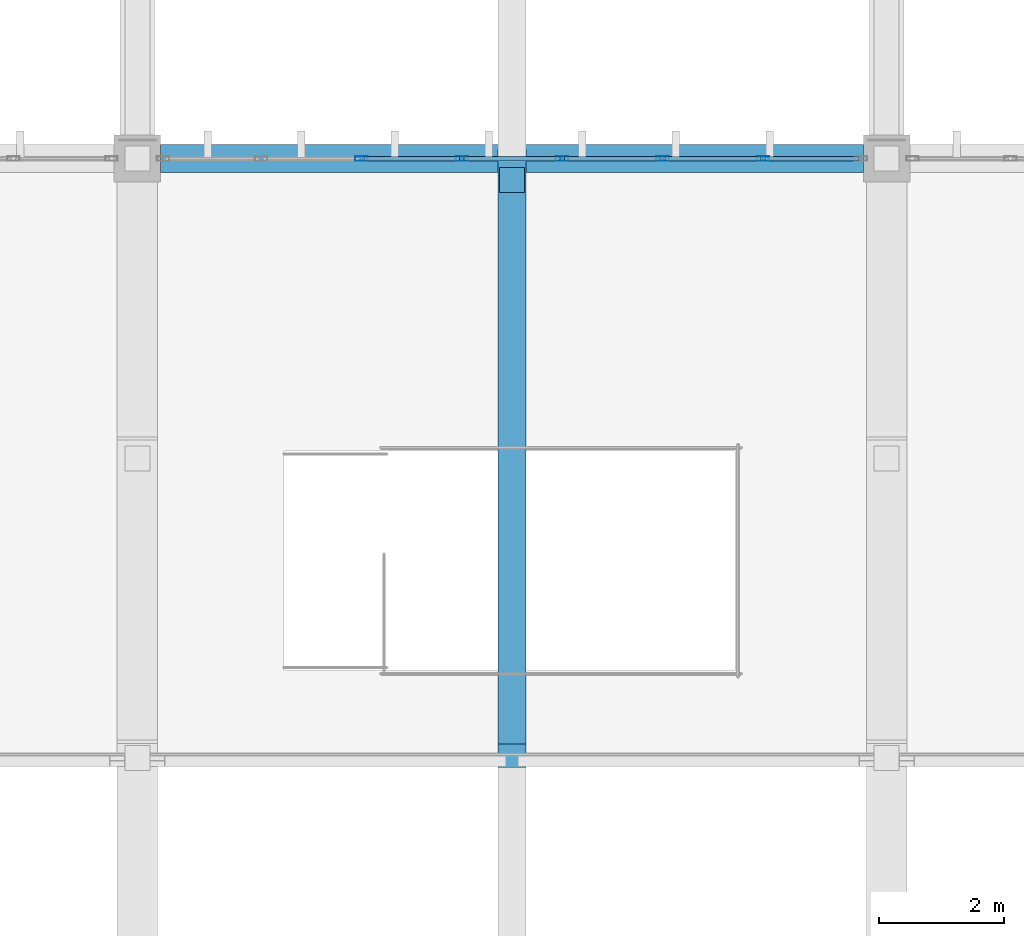
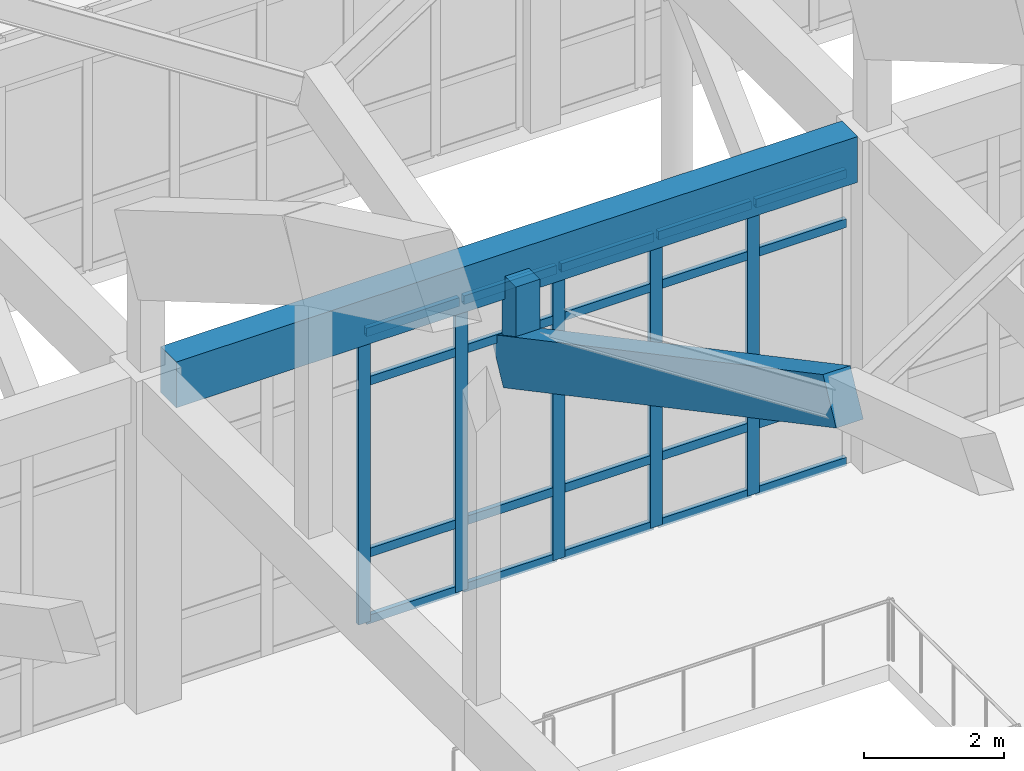
# One storey, part 82 of 236: 26 members, 2 beams, 1 element without a shape of its own.
"""IFC4 building model written with IfcOpenShell, lengths in metres."""

from ifc_helpers import new_model, si_unit, direction, frame, origin, origin_2d, place, context, subcontext, project, spatial, rectangle, hollow_rectangle, extrude, material, layer, layer_set, material_profile, profile_set, type_object, element, aggregate, save


model = new_model("IFC4")

# Units and contexts
model_context = context("Model", 3, precision=1e-05, world=origin(), true_north=direction((0.0, 1.0)))
body_context = subcontext(model_context, "Body", "Model", "MODEL_VIEW")
ifc_project = project(units=[si_unit("LENGTHUNIT", "METRE"), si_unit("AREAUNIT", "SQUARE_METRE"), si_unit("VOLUMEUNIT", "CUBIC_METRE"), si_unit("PLANEANGLEUNIT", "RADIAN"), si_unit("MASSUNIT", "GRAM", prefix="KILO")], contexts=[model_context])

# Site, building, storey
site_placement = place(None, origin())
site = spatial("IfcSite", under=ifc_project, at=site_placement, CompositionType="ELEMENT")
building_placement = place(site_placement, origin())
building = spatial("IfcBuilding", under=site, at=building_placement, Name="Pandanus Reach Market Hall", CompositionType="ELEMENT")
storey_placement = place(building_placement, frame((0.0, 0.0, 5.39990234375)))
storey = spatial("IfcBuildingStorey", under=building, at=storey_placement, Name="L01", CompositionType="ELEMENT", Elevation=5.39990234375)

# Member
ifc_material_1 = material(Name="Concrete N50 (50 MPa)", Category="concrete")
ifc_material_profile_1 = material_profile(ifc_material_1, rectangle(XDim=0.39990234375, YDim=0.39990234375, at=origin_2d()), Name="RC400x400", Category="LoadBearing")
ifc_profile_set_1 = profile_set([ifc_material_profile_1], Name="Concrete N50 (50 MPa)")
member_type_1 = type_object("IfcMemberType", Name="AR-WEB400-E", PredefinedType="STRUT", material=ifc_profile_set_1)
member_1_placement = place(storey_placement, frame((90.0, 86.06005859375, 3.739990234375), z_axis=(0.0, 0.0, 1.0), x_axis=(1.0, 0.0, 0.0)))
element("IfcMember", 1, at=member_1_placement, inside=storey, type_object=member_type_1, Name="Butterfly north eave valley hanger B4N", PredefinedType="STRUT", context=body_context, shape_type="SweptSolid", body=[
    extrude(rectangle(XDim=0.39990234375, YDim=0.39990234375, at=origin_2d()), origin(), (0.0, 0.0, 1.0), 1.66015625),
])

# Beams
ifc_material_2 = material(Name="Concrete N40 (40 MPa)", Category="concrete")
ifc_material_profile_2 = material_profile(ifc_material_2, rectangle(XDim=0.449951171875, YDim=0.800048828125, at=origin_2d()), Name="RC450x800", Category="LoadBearing")
ifc_profile_set_2 = profile_set([ifc_material_profile_2], Name="Concrete N40 (40 MPa)")
beam_type_1 = type_object("IfcBeamType", Name="BM-RC450-E", PredefinedType="SPANDREL", material=ifc_profile_set_2)
beam_1_placement = place(storey_placement, frame((84.373046875, 86.39990234375, 5.400146484375), z_axis=(1.0, 0.0, 0.0), x_axis=(0.0, 1.0, 0.0)))
element("IfcBeam", 2, at=beam_1_placement, inside=storey, type_object=beam_type_1, Name="Framing beam BM-RC450-E L01.1148", PredefinedType="SPANDREL", context=body_context, shape_type="SweptSolid", body=[
    extrude(rectangle(XDim=0.449951171875, YDim=0.800048828125, at=origin_2d()), origin(), (0.0, 0.0, 1.0), 11.25390625),
])
ifc_material_profile_3 = material_profile(ifc_material_2, rectangle(XDim=0.449951171875, YDim=0.800048828125, at=origin_2d()), Name="RC450x800", Category="LoadBearing")
ifc_profile_set_3 = profile_set([ifc_material_profile_3], Name="Concrete N40 (40 MPa)")
beam_type_2 = type_object("IfcBeamType", Name="BM-RC450-I", PredefinedType="BEAM", material=ifc_profile_set_3)
beam_2_placement = place(storey_placement, frame((90.0, 76.840087890625, 8.88427734375), z_axis=(0.0, 0.882689208935, -0.469957189996), x_axis=(-1.0, 0.0, 0.0)))
element("IfcBeam", 3, at=beam_2_placement, inside=storey, type_object=beam_type_2, Name="Butterfly valley beam B4.7", PredefinedType="BEAM", context=body_context, shape_type="SweptSolid", body=[
    extrude(rectangle(XDim=0.449951171875, YDim=0.800048828125, at=origin_2d()), origin(), (0.0, 0.0, 1.0), 10.78515625),
])

# Curtain wall, members
ifc_material_3 = material(Name="Bronze anodised aluminium and low-E glass", Category="aluminium")
ifc_layer = layer(ifc_material_3, 0.199951171875, Name="CW-02")
ifc_layer_set = layer_set([ifc_layer], Name="Bronze anodised aluminium and low-E glass")
curtain_wall_type = type_object("IfcCurtainWallType", Name="CW-02", PredefinedType="NOTDEFINED", material=ifc_layer_set)
curtain_wall_placement = place(storey_placement, origin())
curtain_wall = element("IfcCurtainWall", 4, at=curtain_wall_placement, inside=storey, type_object=curtain_wall_type, Name="Glazed curtain wall CW-02 CW-0013", PredefinedType="NOTDEFINED")
ifc_material_4 = material(Name="Bronze anodised aluminium", Category="aluminium")
ifc_material_profile_4 = material_profile(ifc_material_4, hollow_rectangle(XDim=0.074951171875, YDim=0.199951171875, WallThickness=0.00439453125, at=origin_2d()), Name="ALU75x200", Category="LoadBearing")
ifc_profile_set_4 = profile_set([ifc_material_profile_4], Name="Bronze anodised aluminium")
member_type_2 = type_object("IfcMemberType", Name="CW-M2", PredefinedType="MULLION", material=ifc_profile_set_4)
member_2_placement = place(storey_placement, frame((87.58935546875, 86.39990234375, 0.0), z_axis=(0.0, 0.0, 1.0), x_axis=(0.0, 1.0, 0.0)))
member_2 = element("IfcMember", 5, at=member_2_placement, type_object=member_type_2, Name="CW-02 mullion 3", PredefinedType="MULLION", context=body_context, shape_type="SweptSolid", body=[
    extrude(hollow_rectangle(XDim=0.074951171875, YDim=0.199951171875, WallThickness=0.00439453125, at=origin_2d()), origin(), (0.0, 0.0, 1.0), 5.10009765625),
])
member_3_placement = place(storey_placement, frame((89.196533203125, 86.39990234375, 0.0), z_axis=(0.0, 0.0, 1.0), x_axis=(0.0, 1.0, 0.0)))
member_3 = element("IfcMember", 6, at=member_3_placement, type_object=member_type_2, Name="CW-02 mullion 4", PredefinedType="MULLION", context=body_context, shape_type="SweptSolid", body=[
    extrude(hollow_rectangle(XDim=0.074951171875, YDim=0.199951171875, WallThickness=0.00439453125, at=origin_2d()), origin(), (0.0, 0.0, 1.0), 5.10009765625),
])
member_4_placement = place(storey_placement, frame((90.803466796875, 86.39990234375, 0.0), z_axis=(0.0, 0.0, 1.0), x_axis=(0.0, 1.0, 0.0)))
member_4 = element("IfcMember", 7, at=member_4_placement, type_object=member_type_2, Name="CW-02 mullion 5", PredefinedType="MULLION", context=body_context, shape_type="SweptSolid", body=[
    extrude(hollow_rectangle(XDim=0.074951171875, YDim=0.199951171875, WallThickness=0.00439453125, at=origin_2d()), origin(), (0.0, 0.0, 1.0), 5.10009765625),
])
member_5_placement = place(storey_placement, frame((92.41064453125, 86.39990234375, 0.0), z_axis=(0.0, 0.0, 1.0), x_axis=(0.0, 1.0, 0.0)))
member_5 = element("IfcMember", 8, at=member_5_placement, type_object=member_type_2, Name="CW-02 mullion 6", PredefinedType="MULLION", context=body_context, shape_type="SweptSolid", body=[
    extrude(hollow_rectangle(XDim=0.074951171875, YDim=0.199951171875, WallThickness=0.00439453125, at=origin_2d()), origin(), (0.0, 0.0, 1.0), 5.10009765625),
])
member_6_placement = place(storey_placement, frame((94.017822265625, 86.39990234375, 0.0), z_axis=(0.0, 0.0, 1.0), x_axis=(0.0, 1.0, 0.0)))
member_6 = element("IfcMember", 9, at=member_6_placement, type_object=member_type_2, Name="CW-02 mullion 7", PredefinedType="MULLION", context=body_context, shape_type="SweptSolid", body=[
    extrude(hollow_rectangle(XDim=0.074951171875, YDim=0.199951171875, WallThickness=0.00439453125, at=origin_2d()), origin(), (0.0, 0.0, 1.0), 5.10009765625),
])
ifc_material_profile_5 = material_profile(ifc_material_4, hollow_rectangle(XDim=0.074951171875, YDim=0.14990234375, WallThickness=0.00439453125, at=origin_2d()), Name="ALU75x150", Category="LoadBearing")
ifc_profile_set_5 = profile_set([ifc_material_profile_5], Name="Bronze anodised aluminium")
member_type_3 = type_object("IfcMemberType", Name="CW-T2", PredefinedType="USERDEFINED", material=ifc_profile_set_5)
member_7_placement = place(storey_placement, frame((87.626708984375, 86.39990234375, 0.03759765625), z_axis=(1.0, 0.0, 0.0), x_axis=(0.0, 1.0, 0.0)))
member_7 = element("IfcMember", 10, at=member_7_placement, type_object=member_type_3, Name="CW-02 transom 3.1", ObjectType="TRANSOM", PredefinedType="USERDEFINED", context=body_context, shape_type="SweptSolid", body=[
    extrude(hollow_rectangle(XDim=0.074951171875, YDim=0.14990234375, WallThickness=0.00439453125, at=origin_2d()), origin(), (0.0, 0.0, 1.0), 1.5322265625),
])
member_8_placement = place(storey_placement, frame((87.626708984375, 86.39990234375, 1.2001953125), z_axis=(1.0, 0.0, 0.0), x_axis=(0.0, 1.0, 0.0)))
member_8 = element("IfcMember", 11, at=member_8_placement, type_object=member_type_3, Name="CW-02 transom 3.2", ObjectType="TRANSOM", PredefinedType="USERDEFINED", context=body_context, shape_type="SweptSolid", body=[
    extrude(hollow_rectangle(XDim=0.074951171875, YDim=0.14990234375, WallThickness=0.00439453125, at=origin_2d()), origin(), (0.0, 0.0, 1.0), 1.5322265625),
])
member_9_placement = place(storey_placement, frame((87.626708984375, 86.39990234375, 4.2001953125), z_axis=(1.0, 0.0, 0.0), x_axis=(0.0, 1.0, 0.0)))
member_9 = element("IfcMember", 12, at=member_9_placement, type_object=member_type_3, Name="CW-02 transom 3.3", ObjectType="TRANSOM", PredefinedType="USERDEFINED", context=body_context, shape_type="SweptSolid", body=[
    extrude(hollow_rectangle(XDim=0.074951171875, YDim=0.14990234375, WallThickness=0.00439453125, at=origin_2d()), origin(), (0.0, 0.0, 1.0), 1.5322265625),
])
member_10_placement = place(storey_placement, frame((87.626708984375, 86.39990234375, 5.0625), z_axis=(1.0, 0.0, 0.0), x_axis=(0.0, 1.0, 0.0)))
member_10 = element("IfcMember", 13, at=member_10_placement, type_object=member_type_3, Name="CW-02 transom 3.4", ObjectType="TRANSOM", PredefinedType="USERDEFINED", context=body_context, shape_type="SweptSolid", body=[
    extrude(hollow_rectangle(XDim=0.074951171875, YDim=0.14990234375, WallThickness=0.00439453125, at=origin_2d()), origin(), (0.0, 0.0, 1.0), 1.5322265625),
])
member_11_placement = place(storey_placement, frame((89.23388671875, 86.39990234375, 0.03759765625), z_axis=(1.0, 0.0, 0.0), x_axis=(0.0, 1.0, 0.0)))
member_11 = element("IfcMember", 14, at=member_11_placement, type_object=member_type_3, Name="CW-02 transom 4.1", ObjectType="TRANSOM", PredefinedType="USERDEFINED", context=body_context, shape_type="SweptSolid", body=[
    extrude(hollow_rectangle(XDim=0.074951171875, YDim=0.14990234375, WallThickness=0.00439453125, at=origin_2d()), origin(), (0.0, 0.0, 1.0), 1.5322265625),
])
member_12_placement = place(storey_placement, frame((89.23388671875, 86.39990234375, 1.2001953125), z_axis=(1.0, 0.0, 0.0), x_axis=(0.0, 1.0, 0.0)))
member_12 = element("IfcMember", 15, at=member_12_placement, type_object=member_type_3, Name="CW-02 transom 4.2", ObjectType="TRANSOM", PredefinedType="USERDEFINED", context=body_context, shape_type="SweptSolid", body=[
    extrude(hollow_rectangle(XDim=0.074951171875, YDim=0.14990234375, WallThickness=0.00439453125, at=origin_2d()), origin(), (0.0, 0.0, 1.0), 1.5322265625),
])
member_13_placement = place(storey_placement, frame((89.23388671875, 86.39990234375, 4.2001953125), z_axis=(1.0, 0.0, 0.0), x_axis=(0.0, 1.0, 0.0)))
member_13 = element("IfcMember", 16, at=member_13_placement, type_object=member_type_3, Name="CW-02 transom 4.3", ObjectType="TRANSOM", PredefinedType="USERDEFINED", context=body_context, shape_type="SweptSolid", body=[
    extrude(hollow_rectangle(XDim=0.074951171875, YDim=0.14990234375, WallThickness=0.00439453125, at=origin_2d()), origin(), (0.0, 0.0, 1.0), 1.5322265625),
])
member_14_placement = place(storey_placement, frame((89.23388671875, 86.39990234375, 5.0625), z_axis=(1.0, 0.0, 0.0), x_axis=(0.0, 1.0, 0.0)))
member_14 = element("IfcMember", 17, at=member_14_placement, type_object=member_type_3, Name="CW-02 transom 4.4", ObjectType="TRANSOM", PredefinedType="USERDEFINED", context=body_context, shape_type="SweptSolid", body=[
    extrude(hollow_rectangle(XDim=0.074951171875, YDim=0.14990234375, WallThickness=0.00439453125, at=origin_2d()), origin(), (0.0, 0.0, 1.0), 1.5322265625),
])
member_15_placement = place(storey_placement, frame((90.841064453125, 86.39990234375, 0.03759765625), z_axis=(1.0, 0.0, 0.0), x_axis=(0.0, 1.0, 0.0)))
member_15 = element("IfcMember", 18, at=member_15_placement, type_object=member_type_3, Name="CW-02 transom 5.1", ObjectType="TRANSOM", PredefinedType="USERDEFINED", context=body_context, shape_type="SweptSolid", body=[
    extrude(hollow_rectangle(XDim=0.074951171875, YDim=0.14990234375, WallThickness=0.00439453125, at=origin_2d()), origin(), (0.0, 0.0, 1.0), 1.5322265625),
])
member_16_placement = place(storey_placement, frame((90.841064453125, 86.39990234375, 1.2001953125), z_axis=(1.0, 0.0, 0.0), x_axis=(0.0, 1.0, 0.0)))
member_16 = element("IfcMember", 19, at=member_16_placement, type_object=member_type_3, Name="CW-02 transom 5.2", ObjectType="TRANSOM", PredefinedType="USERDEFINED", context=body_context, shape_type="SweptSolid", body=[
    extrude(hollow_rectangle(XDim=0.074951171875, YDim=0.14990234375, WallThickness=0.00439453125, at=origin_2d()), origin(), (0.0, 0.0, 1.0), 1.5322265625),
])
member_17_placement = place(storey_placement, frame((90.841064453125, 86.39990234375, 4.2001953125), z_axis=(1.0, 0.0, 0.0), x_axis=(0.0, 1.0, 0.0)))
member_17 = element("IfcMember", 20, at=member_17_placement, type_object=member_type_3, Name="CW-02 transom 5.3", ObjectType="TRANSOM", PredefinedType="USERDEFINED", context=body_context, shape_type="SweptSolid", body=[
    extrude(hollow_rectangle(XDim=0.074951171875, YDim=0.14990234375, WallThickness=0.00439453125, at=origin_2d()), origin(), (0.0, 0.0, 1.0), 1.5322265625),
])
member_18_placement = place(storey_placement, frame((90.841064453125, 86.39990234375, 5.0625), z_axis=(1.0, 0.0, 0.0), x_axis=(0.0, 1.0, 0.0)))
member_18 = element("IfcMember", 21, at=member_18_placement, type_object=member_type_3, Name="CW-02 transom 5.4", ObjectType="TRANSOM", PredefinedType="USERDEFINED", context=body_context, shape_type="SweptSolid", body=[
    extrude(hollow_rectangle(XDim=0.074951171875, YDim=0.14990234375, WallThickness=0.00439453125, at=origin_2d()), origin(), (0.0, 0.0, 1.0), 1.5322265625),
])
member_19_placement = place(storey_placement, frame((92.4482421875, 86.39990234375, 0.03759765625), z_axis=(1.0, 0.0, 0.0), x_axis=(0.0, 1.0, 0.0)))
member_19 = element("IfcMember", 22, at=member_19_placement, type_object=member_type_3, Name="CW-02 transom 6.1", ObjectType="TRANSOM", PredefinedType="USERDEFINED", context=body_context, shape_type="SweptSolid", body=[
    extrude(hollow_rectangle(XDim=0.074951171875, YDim=0.14990234375, WallThickness=0.00439453125, at=origin_2d()), origin(), (0.0, 0.0, 1.0), 1.5322265625),
])
member_20_placement = place(storey_placement, frame((92.4482421875, 86.39990234375, 1.2001953125), z_axis=(1.0, 0.0, 0.0), x_axis=(0.0, 1.0, 0.0)))
member_20 = element("IfcMember", 23, at=member_20_placement, type_object=member_type_3, Name="CW-02 transom 6.2", ObjectType="TRANSOM", PredefinedType="USERDEFINED", context=body_context, shape_type="SweptSolid", body=[
    extrude(hollow_rectangle(XDim=0.074951171875, YDim=0.14990234375, WallThickness=0.00439453125, at=origin_2d()), origin(), (0.0, 0.0, 1.0), 1.5322265625),
])
member_21_placement = place(storey_placement, frame((92.4482421875, 86.39990234375, 4.2001953125), z_axis=(1.0, 0.0, 0.0), x_axis=(0.0, 1.0, 0.0)))
member_21 = element("IfcMember", 24, at=member_21_placement, type_object=member_type_3, Name="CW-02 transom 6.3", ObjectType="TRANSOM", PredefinedType="USERDEFINED", context=body_context, shape_type="SweptSolid", body=[
    extrude(hollow_rectangle(XDim=0.074951171875, YDim=0.14990234375, WallThickness=0.00439453125, at=origin_2d()), origin(), (0.0, 0.0, 1.0), 1.5322265625),
])
member_22_placement = place(storey_placement, frame((92.4482421875, 86.39990234375, 5.0625), z_axis=(1.0, 0.0, 0.0), x_axis=(0.0, 1.0, 0.0)))
member_22 = element("IfcMember", 25, at=member_22_placement, type_object=member_type_3, Name="CW-02 transom 6.4", ObjectType="TRANSOM", PredefinedType="USERDEFINED", context=body_context, shape_type="SweptSolid", body=[
    extrude(hollow_rectangle(XDim=0.074951171875, YDim=0.14990234375, WallThickness=0.00439453125, at=origin_2d()), origin(), (0.0, 0.0, 1.0), 1.5322265625),
])
member_23_placement = place(storey_placement, frame((94.055419921875, 86.39990234375, 0.03759765625), z_axis=(1.0, 0.0, 0.0), x_axis=(0.0, 1.0, 0.0)))
member_23 = element("IfcMember", 26, at=member_23_placement, type_object=member_type_3, Name="CW-02 transom 7.1", ObjectType="TRANSOM", PredefinedType="USERDEFINED", context=body_context, shape_type="SweptSolid", body=[
    extrude(hollow_rectangle(XDim=0.074951171875, YDim=0.14990234375, WallThickness=0.00439453125, at=origin_2d()), origin(), (0.0, 0.0, 1.0), 1.49462890625),
])
member_24_placement = place(storey_placement, frame((94.055419921875, 86.39990234375, 1.2001953125), z_axis=(1.0, 0.0, 0.0), x_axis=(0.0, 1.0, 0.0)))
member_24 = element("IfcMember", 27, at=member_24_placement, type_object=member_type_3, Name="CW-02 transom 7.2", ObjectType="TRANSOM", PredefinedType="USERDEFINED", context=body_context, shape_type="SweptSolid", body=[
    extrude(hollow_rectangle(XDim=0.074951171875, YDim=0.14990234375, WallThickness=0.00439453125, at=origin_2d()), origin(), (0.0, 0.0, 1.0), 1.49462890625),
])
member_25_placement = place(storey_placement, frame((94.055419921875, 86.39990234375, 4.2001953125), z_axis=(1.0, 0.0, 0.0), x_axis=(0.0, 1.0, 0.0)))
member_25 = element("IfcMember", 28, at=member_25_placement, type_object=member_type_3, Name="CW-02 transom 7.3", ObjectType="TRANSOM", PredefinedType="USERDEFINED", context=body_context, shape_type="SweptSolid", body=[
    extrude(hollow_rectangle(XDim=0.074951171875, YDim=0.14990234375, WallThickness=0.00439453125, at=origin_2d()), origin(), (0.0, 0.0, 1.0), 1.49462890625),
])
member_26_placement = place(storey_placement, frame((94.055419921875, 86.39990234375, 5.0625), z_axis=(1.0, 0.0, 0.0), x_axis=(0.0, 1.0, 0.0)))
member_26 = element("IfcMember", 29, at=member_26_placement, type_object=member_type_3, Name="CW-02 transom 7.4", ObjectType="TRANSOM", PredefinedType="USERDEFINED", context=body_context, shape_type="SweptSolid", body=[
    extrude(hollow_rectangle(XDim=0.074951171875, YDim=0.14990234375, WallThickness=0.00439453125, at=origin_2d()), origin(), (0.0, 0.0, 1.0), 1.49462890625),
])
aggregate(curtain_wall, [member_2, member_3, member_4, member_5, member_6, member_7, member_8, member_9, member_10, member_11, member_12, member_13, member_14, member_15, member_16, member_17, member_18, member_19, member_20, member_21, member_22, member_23, member_24, member_25, member_26])

save(model, "model.ifc")
